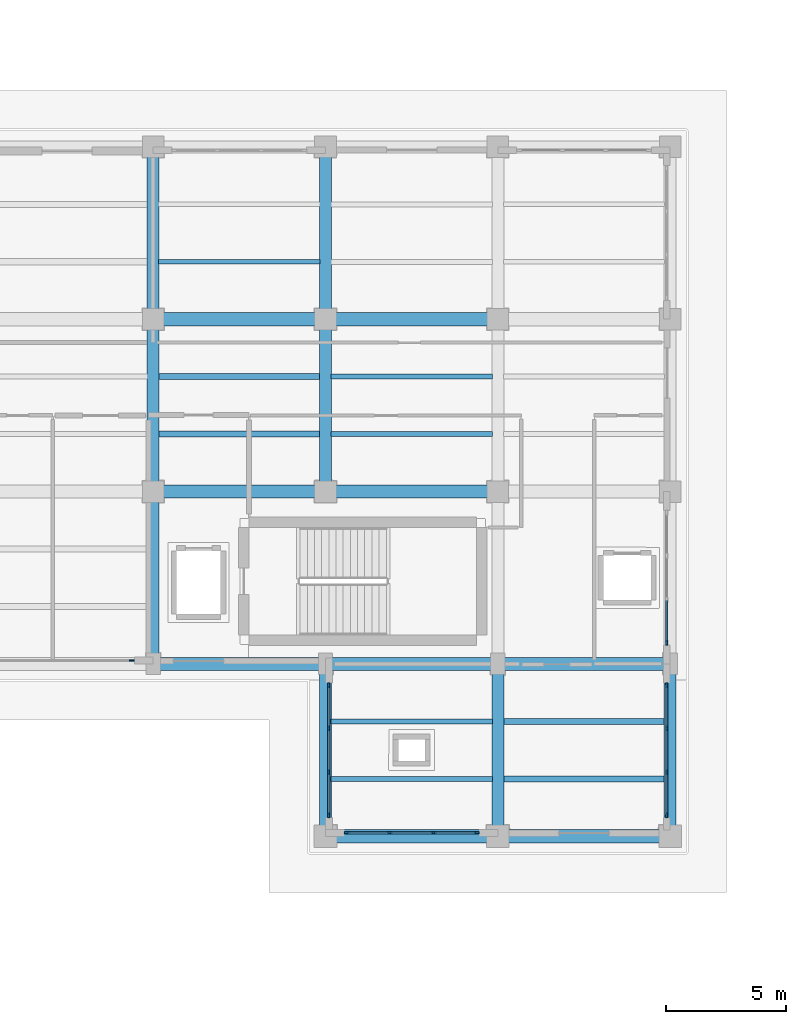
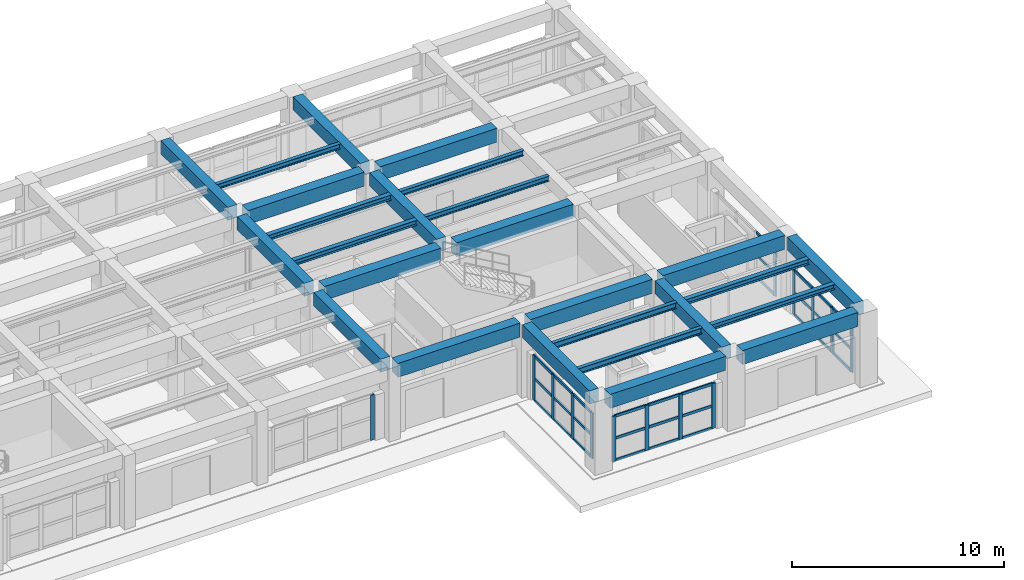
# One storey, part 29 of 64: 44 members, 26 beams, 5 elements without a shape of their own.
"""IFC4 building model written with IfcOpenShell, lengths in metres."""

from ifc_helpers import new_model, si_unit, direction, frame, origin, origin_2d, place, context, subcontext, project, spatial, rectangle, i_section, extrude, material, layer, layer_set, material_profile, profile_set, type_object, element, aggregate, save


model = new_model("IFC4")

# Units and contexts
model_context = context("Model", 3, precision=1e-05, world=origin(), true_north=direction((0.0, 1.0)))
body_context = subcontext(model_context, "Body", "Model", "MODEL_VIEW")
ifc_project = project(units=[si_unit("LENGTHUNIT", "METRE"), si_unit("AREAUNIT", "SQUARE_METRE"), si_unit("VOLUMEUNIT", "CUBIC_METRE"), si_unit("PLANEANGLEUNIT", "RADIAN"), si_unit("MASSUNIT", "GRAM", prefix="KILO")], contexts=[model_context])

# Site, building, storey
site_placement = place(None, origin())
site = spatial("IfcSite", under=ifc_project, at=site_placement, CompositionType="ELEMENT")
building_placement = place(site_placement, origin())
building = spatial("IfcBuilding", under=site, at=building_placement, Name="Solenvale Faculty of Natural Sciences", CompositionType="ELEMENT")
storey_placement = place(building_placement, origin())
storey = spatial("IfcBuildingStorey", under=building, at=storey_placement, Name="L00", CompositionType="ELEMENT", Elevation=0.0)

# Beams
ifc_material_1 = material(Name="Concrete 40 MPa", Category="concrete")
ifc_material_profile_1 = material_profile(ifc_material_1, rectangle(XDim=0.5, YDim=0.75, at=origin_2d()), Name="RC-BM-500x750")
ifc_profile_set_1 = profile_set([ifc_material_profile_1], Name="Concrete 40 MPa")
beam_type_1 = type_object("IfcBeamType", Name="BM-RC-500x750", PredefinedType="BEAM", material=ifc_profile_set_1)
for number, where, z_axis, x_axis, name in (
    (1, (129.60009765625, 94.030029296875, 3.844970703125), (0.0, 1.0, 0.0), (-1.0, 0.0, 0.0), "L00 Y-Girder X129.6 (93.6..100.8)"),
    (2, (129.60009765625, 101.22998046875, 3.844970703125), (0.0, 1.0, 0.0), (-1.0, 0.0, 0.0), "L00 Y-Girder X129.6 (100.8..108.0)"),
    (3, (129.60009765625, 108.429931640625, 3.844970703125), (0.0, 1.0, 0.0), (-1.0, 0.0, 0.0), "L00 Y-Girder X129.6 (108.0..115.2)"),
):
    element("IfcBeam", number, at=place(storey_placement, frame(where, z_axis=z_axis, x_axis=x_axis)), inside=storey, type_object=beam_type_1, Name=name, PredefinedType="BEAM", context=body_context, shape_type="SweptSolid", body=[
        extrude(rectangle(XDim=0.5, YDim=0.75, at=origin_2d()), origin(), (0.0, 0.0, 1.0), 6.340087890625),
    ])
beam_1_placement = place(storey_placement, frame((136.800048828125, 86.85498046875, 3.844970703125), z_axis=(0.0, 1.0, 0.0), x_axis=(-1.0, 0.0, 0.0)))
element("IfcBeam", 4, at=beam_1_placement, inside=storey, type_object=beam_type_1, Name="L00 Y-Girder X136.8 (86.4..93.6)", PredefinedType="BEAM", context=body_context, shape_type="SweptSolid", body=[
    extrude(rectangle(XDim=0.5, YDim=0.75, at=origin_2d()), origin(), (0.0, 0.0, 1.0), 6.31494140625),
])
for number, where, z_axis, x_axis, name in (
    (5, (136.800048828125, 101.22998046875, 3.844970703125), (0.0, 1.0, 0.0), (-1.0, 0.0, 0.0), "L00 Y-Girder X136.8 (100.8..108.0)"),
    (6, (136.800048828125, 108.429931640625, 3.844970703125), (0.0, 1.0, 0.0), (-1.0, 0.0, 0.0), "L00 Y-Girder X136.8 (108.0..115.2)"),
):
    element("IfcBeam", number, at=place(storey_placement, frame(where, z_axis=z_axis, x_axis=x_axis)), inside=storey, type_object=beam_type_1, Name=name, PredefinedType="BEAM", context=body_context, shape_type="SweptSolid", body=[
        extrude(rectangle(XDim=0.5, YDim=0.75, at=origin_2d()), origin(), (0.0, 0.0, 1.0), 6.340087890625),
    ])
for number, where, z_axis, x_axis, name in (
    (7, (144.0, 86.85498046875, 3.844970703125), (0.0, 1.0, 0.0), (-1.0, 0.0, 0.0), "L00 Y-Girder X144.0 (86.4..93.6)"),
    (8, (151.199951171875, 86.85498046875, 3.844970703125), (0.0, 1.0, 0.0), (-1.0, 0.0, 0.0), "L00 Y-Girder X151.2 (86.4..93.6)"),
):
    element("IfcBeam", number, at=place(storey_placement, frame(where, z_axis=z_axis, x_axis=x_axis)), inside=storey, type_object=beam_type_1, Name=name, PredefinedType="BEAM", context=body_context, shape_type="SweptSolid", body=[
        extrude(rectangle(XDim=0.5, YDim=0.75, at=origin_2d()), origin(), (0.0, 0.0, 1.0), 6.31494140625),
    ])
ifc_material_profile_2 = material_profile(ifc_material_1, rectangle(XDim=0.550048828125, YDim=0.800048828125, at=origin_2d()), Name="RC-BM-550x800")
ifc_profile_set_2 = profile_set([ifc_material_profile_2], Name="Concrete 40 MPa")
beam_type_2 = type_object("IfcBeamType", Name="BM-RC-550x800", PredefinedType="BEAM", material=ifc_profile_set_2)
for number, where, z_axis, x_axis, name in (
    (9, (137.2548828125, 86.39990234375, 3.820068359375), (1.0, 0.0, 0.0), (0.0, 1.0, 0.0), "L00 X-Girder Y86.4 (136.8..144.0)"),
    (10, (144.455078125, 86.39990234375, 3.820068359375), (1.0, 0.0, 0.0), (0.0, 1.0, 0.0), "L00 X-Girder Y86.4 (144.0..151.2)"),
):
    element("IfcBeam", number, at=place(storey_placement, frame(where, z_axis=z_axis, x_axis=x_axis)), inside=storey, type_object=beam_type_2, Name=name, PredefinedType="BEAM", context=body_context, shape_type="SweptSolid", body=[
        extrude(rectangle(XDim=0.550048828125, YDim=0.800048828125, at=origin_2d()), origin(), (0.0, 0.0, 1.0), 6.2900390625),
    ])
beam_2_placement = place(storey_placement, frame((129.8798828125, 93.60009765625, 3.820068359375), z_axis=(1.0, 0.0, 0.0), x_axis=(0.0, 1.0, 0.0)))
element("IfcBeam", 11, at=beam_2_placement, inside=storey, type_object=beam_type_2, Name="L00 X-Girder Y93.6 (129.6..136.8)", PredefinedType="BEAM", context=body_context, shape_type="SweptSolid", body=[
    extrude(rectangle(XDim=0.550048828125, YDim=0.800048828125, at=origin_2d()), origin(), (0.0, 0.0, 1.0), 6.64013671875),
])
for number, where, z_axis, x_axis, name in (
    (12, (137.080078125, 93.60009765625, 3.820068359375), (1.0, 0.0, 0.0), (0.0, 1.0, 0.0), "L00 X-Girder Y93.6 (136.8..144.0)"),
    (13, (144.280029296875, 93.60009765625, 3.820068359375), (1.0, 0.0, 0.0), (0.0, 1.0, 0.0), "L00 X-Girder Y93.6 (144.0..151.2)"),
):
    element("IfcBeam", number, at=place(storey_placement, frame(where, z_axis=z_axis, x_axis=x_axis)), inside=storey, type_object=beam_type_2, Name=name, PredefinedType="BEAM", context=body_context, shape_type="SweptSolid", body=[
        extrude(rectangle(XDim=0.550048828125, YDim=0.800048828125, at=origin_2d()), origin(), (0.0, 0.0, 1.0), 6.639892578125),
    ])
for number, where, z_axis, x_axis, name in (
    (14, (130.030029296875, 100.800048828125, 3.820068359375), (1.0, 0.0, 0.0), (0.0, 1.0, 0.0), "L00 X-Girder Y100.8 (129.6..136.8)"),
    (15, (137.22998046875, 100.800048828125, 3.820068359375), (1.0, 0.0, 0.0), (0.0, 1.0, 0.0), "L00 X-Girder Y100.8 (136.8..144.0)"),
    (16, (130.030029296875, 108.0, 3.820068359375), (1.0, 0.0, 0.0), (0.0, 1.0, 0.0), "L00 X-Girder Y108.0 (129.6..136.8)"),
    (17, (137.22998046875, 108.0, 3.820068359375), (1.0, 0.0, 0.0), (0.0, 1.0, 0.0), "L00 X-Girder Y108.0 (136.8..144.0)"),
):
    element("IfcBeam", number, at=place(storey_placement, frame(where, z_axis=z_axis, x_axis=x_axis)), inside=storey, type_object=beam_type_2, Name=name, PredefinedType="BEAM", context=body_context, shape_type="SweptSolid", body=[
        extrude(rectangle(XDim=0.550048828125, YDim=0.800048828125, at=origin_2d()), origin(), (0.0, 0.0, 1.0), 6.340087890625),
    ])
ifc_material_2 = material(Name="Steel S355", Category="steel")
ifc_material_profile_3 = material_profile(ifc_material_2, i_section(OverallWidth=0.202880859375, OverallDepth=0.302978515625, WebThickness=0.007568359375, FlangeThickness=0.01318359375, FilletRadius=0.014892578125, at=origin_2d()), Name="W310x60")
ifc_profile_set_3 = profile_set([ifc_material_profile_3], Name="Steel S355")
beam_type_3 = type_object("IfcBeamType", Name="BM-STL-W310x60", PredefinedType="JOIST", material=ifc_profile_set_3)
for number, where, z_axis, x_axis, name in (
    (18, (129.830078125, 110.39990234375, 4.068603515625), (1.0, 0.0, 0.0), (0.0, 1.0, 0.0), "L00 Composite Floor Joist (19,16).1"),
    (19, (137.030029296875, 103.199951171875, 4.068603515625), (1.0, 0.0, 0.0), (0.0, 1.0, 0.0), "L00 Composite Floor Joist (20,15).1"),
    (20, (137.030029296875, 105.60009765625, 4.068603515625), (1.0, 0.0, 0.0), (0.0, 1.0, 0.0), "L00 Composite Floor Joist (20,15).2"),
):
    element("IfcBeam", number, at=place(storey_placement, frame(where, z_axis=z_axis, x_axis=x_axis)), inside=storey, type_object=beam_type_3, Name=name, PredefinedType="JOIST", context=body_context, shape_type="SweptSolid", body=[
        extrude(i_section(OverallWidth=0.202880859375, OverallDepth=0.302978515625, WebThickness=0.007568359375, FlangeThickness=0.01318359375, FilletRadius=0.014892578125, at=origin_2d()), origin(), (0.0, 0.0, 1.0), 6.739990234375),
    ])
ifc_material_profile_4 = material_profile(ifc_material_2, i_section(OverallWidth=0.25390625, OverallDepth=0.305908203125, WebThickness=0.0087890625, FlangeThickness=0.0146484375, FilletRadius=0.014892578125, at=origin_2d()), Name="W310x79")
ifc_profile_set_4 = profile_set([ifc_material_profile_4], Name="Steel S355")
beam_type_4 = type_object("IfcBeamType", Name="BM-STL-W310x79", PredefinedType="JOIST", material=ifc_profile_set_4)
for number, where, z_axis, x_axis, name in (
    (21, (129.830078125, 103.199951171875, 4.06689453125), (1.0, 0.0, 0.0), (0.0, 1.0, 0.0), "L00 Composite Floor Joist (19,15).1"),
    (22, (129.830078125, 105.60009765625, 4.06689453125), (1.0, 0.0, 0.0), (0.0, 1.0, 0.0), "L00 Composite Floor Joist (19,15).2"),
    (23, (144.22998046875, 88.800048828125, 4.06689453125), (1.0, 0.0, 0.0), (0.0, 1.0, 0.0), "L00 Composite Floor Joist (21,13).1"),
    (24, (144.22998046875, 91.199951171875, 4.06689453125), (1.0, 0.0, 0.0), (0.0, 1.0, 0.0), "L00 Composite Floor Joist (21,13).2"),
):
    element("IfcBeam", number, at=place(storey_placement, frame(where, z_axis=z_axis, x_axis=x_axis)), inside=storey, type_object=beam_type_4, Name=name, PredefinedType="JOIST", context=body_context, shape_type="SweptSolid", body=[
        extrude(i_section(OverallWidth=0.25390625, OverallDepth=0.305908203125, WebThickness=0.0087890625, FlangeThickness=0.0146484375, FilletRadius=0.014892578125, at=origin_2d()), origin(), (0.0, 0.0, 1.0), 6.739990234375),
    ])
ifc_material_profile_5 = material_profile(ifc_material_2, i_section(OverallWidth=0.2041015625, OverallDepth=0.35009765625, WebThickness=0.008544921875, FlangeThickness=0.01513671875, FilletRadius=0.014892578125, at=origin_2d()), Name="W360x72")
ifc_profile_set_5 = profile_set([ifc_material_profile_5], Name="Steel S355")
beam_type_5 = type_object("IfcBeamType", Name="BM-STL-W360x72", PredefinedType="JOIST", material=ifc_profile_set_5)
for number, where, z_axis, x_axis, name in (
    (25, (137.030029296875, 88.800048828125, 4.044921875), (1.0, 0.0, 0.0), (0.0, 1.0, 0.0), "L00 Composite Floor Joist (20,13).1"),
    (26, (137.030029296875, 91.199951171875, 4.044921875), (1.0, 0.0, 0.0), (0.0, 1.0, 0.0), "L00 Composite Floor Joist (20,13).2"),
):
    element("IfcBeam", number, at=place(storey_placement, frame(where, z_axis=z_axis, x_axis=x_axis)), inside=storey, type_object=beam_type_5, Name=name, PredefinedType="JOIST", context=body_context, shape_type="SweptSolid", body=[
        extrude(i_section(OverallWidth=0.2041015625, OverallDepth=0.35009765625, WebThickness=0.008544921875, FlangeThickness=0.01513671875, FilletRadius=0.014892578125, at=origin_2d()), origin(), (0.0, 0.0, 1.0), 6.739990234375),
    ])

# Curtain wall, member
ifc_material_3 = material(Name="Anodised bronze aluminium", Category="aluminium")
ifc_layer = layer(ifc_material_3, 0.179931640625)
ifc_layer_set = layer_set([ifc_layer], Name="Anodised bronze aluminium")
curtain_wall_type = type_object("IfcCurtainWallType", Name="CW-TWR-MOD", PredefinedType="USERDEFINED", material=ifc_layer_set)
curtain_wall_1_placement = place(storey_placement, origin())
curtain_wall_1 = element("IfcCurtainWall", 27, at=curtain_wall_1_placement, inside=storey, type_object=curtain_wall_type, Name="L00 Curtain Wall CW-L00-P1-E12-B7", ObjectType="UNITISED CURTAIN WALL", PredefinedType="USERDEFINED")
ifc_material_profile_6 = material_profile(ifc_material_3, rectangle(XDim=0.074951171875, YDim=0.2099609375, at=origin_2d()), Name="ALU-MUL-75x210")
ifc_profile_set_6 = profile_set([ifc_material_profile_6], Name="Anodised bronze aluminium")
member_type_1 = type_object("IfcMemberType", Name="CWM-ALU-75x210", PredefinedType="MULLION", material=ifc_profile_set_6)
member_1_placement = place(storey_placement, frame((128.71240234375, 93.742431640625, 0.0), z_axis=(0.0, 0.0, 1.0), x_axis=(0.0, 1.0, 0.0)))
member_1 = element("IfcMember", 28, at=member_1_placement, type_object=member_type_1, Name="CW-04 mullion 4", PredefinedType="MULLION", context=body_context, shape_type="SweptSolid", body=[
    extrude(rectangle(XDim=0.074951171875, YDim=0.2099609375, at=origin_2d()), origin(), (0.0, 0.0, 1.0), 2.60009765625),
])
aggregate(curtain_wall_1, [member_1])

# Curtain wall, members
curtain_wall_2_placement = place(storey_placement, origin())
curtain_wall_2 = element("IfcCurtainWall", 29, at=curtain_wall_2_placement, inside=storey, type_object=curtain_wall_type, Name="L00 Curtain Wall CW-L00-P1-E13-B1", ObjectType="UNITISED CURTAIN WALL", PredefinedType="USERDEFINED")
member_2_placement = place(storey_placement, frame((136.9423828125, 92.71240234375, 0.0), z_axis=(0.0, 0.0, 1.0), x_axis=(1.0, 0.0, 0.0)))
member_2 = element("IfcMember", 30, at=member_2_placement, type_object=member_type_1, Name="CW-04 mullion 1", PredefinedType="MULLION", context=body_context, shape_type="SweptSolid", body=[
    extrude(rectangle(XDim=0.074951171875, YDim=0.2099609375, at=origin_2d()), origin(), (0.0, 0.0, 1.0), 2.60009765625),
])
member_3_placement = place(storey_placement, frame((136.9423828125, 90.916748046875, 0.0), z_axis=(0.0, 0.0, 1.0), x_axis=(1.0, 0.0, 0.0)))
member_3 = element("IfcMember", 31, at=member_3_placement, type_object=member_type_1, Name="CW-04 mullion 2", PredefinedType="MULLION", context=body_context, shape_type="SweptSolid", body=[
    extrude(rectangle(XDim=0.074951171875, YDim=0.2099609375, at=origin_2d()), origin(), (0.0, 0.0, 1.0), 2.60009765625),
])
member_4_placement = place(storey_placement, frame((136.9423828125, 89.083251953125, 0.0), z_axis=(0.0, 0.0, 1.0), x_axis=(1.0, 0.0, 0.0)))
member_4 = element("IfcMember", 32, at=member_4_placement, type_object=member_type_1, Name="CW-04 mullion 3", PredefinedType="MULLION", context=body_context, shape_type="SweptSolid", body=[
    extrude(rectangle(XDim=0.074951171875, YDim=0.2099609375, at=origin_2d()), origin(), (0.0, 0.0, 1.0), 2.60009765625),
])
member_5_placement = place(storey_placement, frame((136.9423828125, 87.28759765625, 0.0), z_axis=(0.0, 0.0, 1.0), x_axis=(1.0, 0.0, 0.0)))
member_5 = element("IfcMember", 33, at=member_5_placement, type_object=member_type_1, Name="CW-04 mullion 4", PredefinedType="MULLION", context=body_context, shape_type="SweptSolid", body=[
    extrude(rectangle(XDim=0.074951171875, YDim=0.2099609375, at=origin_2d()), origin(), (0.0, 0.0, 1.0), 2.60009765625),
])

curtain_wall_3_placement = place(storey_placement, origin())
curtain_wall_3 = element("IfcCurtainWall", 34, at=curtain_wall_3_placement, inside=storey, type_object=curtain_wall_type, Name="L00 Curtain Wall CW-L00-P1-E14-B1", ObjectType="UNITISED CURTAIN WALL", PredefinedType="USERDEFINED")
member_6_placement = place(storey_placement, frame((137.6875, 86.54248046875, 0.0), z_axis=(0.0, 0.0, 1.0), x_axis=(0.0, 1.0, 0.0)))
member_6 = element("IfcMember", 35, at=member_6_placement, type_object=member_type_1, Name="CW-04 mullion 1", PredefinedType="MULLION", context=body_context, shape_type="SweptSolid", body=[
    extrude(rectangle(XDim=0.074951171875, YDim=0.2099609375, at=origin_2d()), origin(), (0.0, 0.0, 1.0), 2.60009765625),
])
member_7_placement = place(storey_placement, frame((139.4833984375, 86.54248046875, 0.0), z_axis=(0.0, 0.0, 1.0), x_axis=(0.0, 1.0, 0.0)))
member_7 = element("IfcMember", 36, at=member_7_placement, type_object=member_type_1, Name="CW-04 mullion 2", PredefinedType="MULLION", context=body_context, shape_type="SweptSolid", body=[
    extrude(rectangle(XDim=0.074951171875, YDim=0.2099609375, at=origin_2d()), origin(), (0.0, 0.0, 1.0), 2.60009765625),
])
member_8_placement = place(storey_placement, frame((141.316650390625, 86.54248046875, 0.0), z_axis=(0.0, 0.0, 1.0), x_axis=(0.0, 1.0, 0.0)))
member_8 = element("IfcMember", 37, at=member_8_placement, type_object=member_type_1, Name="CW-04 mullion 3", PredefinedType="MULLION", context=body_context, shape_type="SweptSolid", body=[
    extrude(rectangle(XDim=0.074951171875, YDim=0.2099609375, at=origin_2d()), origin(), (0.0, 0.0, 1.0), 2.60009765625),
])
member_9_placement = place(storey_placement, frame((143.112548828125, 86.54248046875, 0.0), z_axis=(0.0, 0.0, 1.0), x_axis=(0.0, 1.0, 0.0)))
member_9 = element("IfcMember", 38, at=member_9_placement, type_object=member_type_1, Name="CW-04 mullion 4", PredefinedType="MULLION", context=body_context, shape_type="SweptSolid", body=[
    extrude(rectangle(XDim=0.074951171875, YDim=0.2099609375, at=origin_2d()), origin(), (0.0, 0.0, 1.0), 2.60009765625),
])

curtain_wall_4_placement = place(storey_placement, origin())
curtain_wall_4 = element("IfcCurtainWall", 39, at=curtain_wall_4_placement, inside=storey, type_object=curtain_wall_type, Name="L00 Curtain Wall CW-L00-P1-E15-B1", ObjectType="UNITISED CURTAIN WALL", PredefinedType="USERDEFINED")
member_10_placement = place(storey_placement, frame((151.0576171875, 87.28759765625, 0.0), z_axis=(0.0, 0.0, 1.0), x_axis=(-1.0, 0.0, 0.0)))
member_10 = element("IfcMember", 40, at=member_10_placement, type_object=member_type_1, Name="CW-04 mullion 1", PredefinedType="MULLION", context=body_context, shape_type="SweptSolid", body=[
    extrude(rectangle(XDim=0.074951171875, YDim=0.2099609375, at=origin_2d()), origin(), (0.0, 0.0, 1.0), 2.60009765625),
])
member_11_placement = place(storey_placement, frame((151.0576171875, 89.083251953125, 0.0), z_axis=(0.0, 0.0, 1.0), x_axis=(-1.0, 0.0, 0.0)))
member_11 = element("IfcMember", 41, at=member_11_placement, type_object=member_type_1, Name="CW-04 mullion 2", PredefinedType="MULLION", context=body_context, shape_type="SweptSolid", body=[
    extrude(rectangle(XDim=0.074951171875, YDim=0.2099609375, at=origin_2d()), origin(), (0.0, 0.0, 1.0), 2.60009765625),
])
member_12_placement = place(storey_placement, frame((151.0576171875, 90.916748046875, 0.0), z_axis=(0.0, 0.0, 1.0), x_axis=(-1.0, 0.0, 0.0)))
member_12 = element("IfcMember", 42, at=member_12_placement, type_object=member_type_1, Name="CW-04 mullion 3", PredefinedType="MULLION", context=body_context, shape_type="SweptSolid", body=[
    extrude(rectangle(XDim=0.074951171875, YDim=0.2099609375, at=origin_2d()), origin(), (0.0, 0.0, 1.0), 2.60009765625),
])
member_13_placement = place(storey_placement, frame((151.0576171875, 92.71240234375, 0.0), z_axis=(0.0, 0.0, 1.0), x_axis=(-1.0, 0.0, 0.0)))
member_13 = element("IfcMember", 43, at=member_13_placement, type_object=member_type_1, Name="CW-04 mullion 4", PredefinedType="MULLION", context=body_context, shape_type="SweptSolid", body=[
    extrude(rectangle(XDim=0.074951171875, YDim=0.2099609375, at=origin_2d()), origin(), (0.0, 0.0, 1.0), 2.60009765625),
])

# Curtain wall, member
curtain_wall_5_placement = place(storey_placement, origin())
curtain_wall_5 = element("IfcCurtainWall", 44, at=curtain_wall_5_placement, inside=storey, type_object=curtain_wall_type, Name="L00 Curtain Wall CW-L00-P1-E16-B1", ObjectType="UNITISED CURTAIN WALL", PredefinedType="USERDEFINED")
member_14_placement = place(storey_placement, frame((151.0576171875, 94.487548828125, 0.0), z_axis=(0.0, 0.0, 1.0), x_axis=(-1.0, 0.0, 0.0)))
member_14 = element("IfcMember", 45, at=member_14_placement, type_object=member_type_1, Name="CW-04 mullion 1", PredefinedType="MULLION", context=body_context, shape_type="SweptSolid", body=[
    extrude(rectangle(XDim=0.074951171875, YDim=0.2099609375, at=origin_2d()), origin(), (0.0, 0.0, 1.0), 2.60009765625),
])

# Member
ifc_material_profile_7 = material_profile(ifc_material_3, rectangle(XDim=0.074951171875, YDim=0.155029296875, at=origin_2d()), Name="ALU-TRN-75x155")
ifc_profile_set_7 = profile_set([ifc_material_profile_7], Name="Anodised bronze aluminium")
member_type_2 = type_object("IfcMemberType", Name="CWT-ALU-75x155", PredefinedType="USERDEFINED", material=ifc_profile_set_7)
member_15_placement = place(storey_placement, frame((136.9423828125, 92.675048828125, 0.03759765625), z_axis=(0.0, -1.0, 0.0), x_axis=(1.0, 0.0, 0.0)))
member_15 = element("IfcMember", 46, at=member_15_placement, type_object=member_type_2, Name="CW-04 transom 1.1", ObjectType="TRANSOM", PredefinedType="USERDEFINED", context=body_context, shape_type="SweptSolid", body=[
    extrude(rectangle(XDim=0.074951171875, YDim=0.155029296875, at=origin_2d()), origin(), (0.0, 0.0, 1.0), 1.720947265625),
])

member_16_placement = place(storey_placement, frame((136.9423828125, 92.675048828125, 1.300048828125), z_axis=(0.0, -1.0, 0.0), x_axis=(1.0, 0.0, 0.0)))
member_16 = element("IfcMember", 47, at=member_16_placement, type_object=member_type_2, Name="CW-04 transom 1.2", ObjectType="TRANSOM", PredefinedType="USERDEFINED", context=body_context, shape_type="SweptSolid", body=[
    extrude(rectangle(XDim=0.074951171875, YDim=0.155029296875, at=origin_2d()), origin(), (0.0, 0.0, 1.0), 1.720947265625),
])

member_17_placement = place(storey_placement, frame((136.9423828125, 92.675048828125, 2.5625), z_axis=(0.0, -1.0, 0.0), x_axis=(1.0, 0.0, 0.0)))
member_17 = element("IfcMember", 48, at=member_17_placement, type_object=member_type_2, Name="CW-04 transom 1.3", ObjectType="TRANSOM", PredefinedType="USERDEFINED", context=body_context, shape_type="SweptSolid", body=[
    extrude(rectangle(XDim=0.074951171875, YDim=0.155029296875, at=origin_2d()), origin(), (0.0, 0.0, 1.0), 1.720947265625),
])

member_18_placement = place(storey_placement, frame((136.9423828125, 90.879150390625, 0.03759765625), z_axis=(0.0, -1.0, 0.0), x_axis=(1.0, 0.0, 0.0)))
member_18 = element("IfcMember", 49, at=member_18_placement, type_object=member_type_2, Name="CW-04 transom 2.1", ObjectType="TRANSOM", PredefinedType="USERDEFINED", context=body_context, shape_type="SweptSolid", body=[
    extrude(rectangle(XDim=0.074951171875, YDim=0.155029296875, at=origin_2d()), origin(), (0.0, 0.0, 1.0), 1.75830078125),
])

member_19_placement = place(storey_placement, frame((136.9423828125, 90.879150390625, 1.300048828125), z_axis=(0.0, -1.0, 0.0), x_axis=(1.0, 0.0, 0.0)))
member_19 = element("IfcMember", 50, at=member_19_placement, type_object=member_type_2, Name="CW-04 transom 2.2", ObjectType="TRANSOM", PredefinedType="USERDEFINED", context=body_context, shape_type="SweptSolid", body=[
    extrude(rectangle(XDim=0.074951171875, YDim=0.155029296875, at=origin_2d()), origin(), (0.0, 0.0, 1.0), 1.75830078125),
])

member_20_placement = place(storey_placement, frame((136.9423828125, 90.879150390625, 2.5625), z_axis=(0.0, -1.0, 0.0), x_axis=(1.0, 0.0, 0.0)))
member_20 = element("IfcMember", 51, at=member_20_placement, type_object=member_type_2, Name="CW-04 transom 2.3", ObjectType="TRANSOM", PredefinedType="USERDEFINED", context=body_context, shape_type="SweptSolid", body=[
    extrude(rectangle(XDim=0.074951171875, YDim=0.155029296875, at=origin_2d()), origin(), (0.0, 0.0, 1.0), 1.75830078125),
])

member_21_placement = place(storey_placement, frame((136.9423828125, 89.0458984375, 0.03759765625), z_axis=(0.0, -1.0, 0.0), x_axis=(1.0, 0.0, 0.0)))
member_21 = element("IfcMember", 52, at=member_21_placement, type_object=member_type_2, Name="CW-04 transom 3.1", ObjectType="TRANSOM", PredefinedType="USERDEFINED", context=body_context, shape_type="SweptSolid", body=[
    extrude(rectangle(XDim=0.074951171875, YDim=0.155029296875, at=origin_2d()), origin(), (0.0, 0.0, 1.0), 1.720947265625),
])

member_22_placement = place(storey_placement, frame((136.9423828125, 89.0458984375, 1.300048828125), z_axis=(0.0, -1.0, 0.0), x_axis=(1.0, 0.0, 0.0)))
member_22 = element("IfcMember", 53, at=member_22_placement, type_object=member_type_2, Name="CW-04 transom 3.2", ObjectType="TRANSOM", PredefinedType="USERDEFINED", context=body_context, shape_type="SweptSolid", body=[
    extrude(rectangle(XDim=0.074951171875, YDim=0.155029296875, at=origin_2d()), origin(), (0.0, 0.0, 1.0), 1.720947265625),
])

member_23_placement = place(storey_placement, frame((136.9423828125, 89.0458984375, 2.5625), z_axis=(0.0, -1.0, 0.0), x_axis=(1.0, 0.0, 0.0)))
member_23 = element("IfcMember", 54, at=member_23_placement, type_object=member_type_2, Name="CW-04 transom 3.3", ObjectType="TRANSOM", PredefinedType="USERDEFINED", context=body_context, shape_type="SweptSolid", body=[
    extrude(rectangle(XDim=0.074951171875, YDim=0.155029296875, at=origin_2d()), origin(), (0.0, 0.0, 1.0), 1.720947265625),
])

aggregate(curtain_wall_2, [member_2, member_3, member_4, member_5, member_15, member_16, member_17, member_18, member_19, member_20, member_21, member_22, member_23])

member_24_placement = place(storey_placement, frame((137.72509765625, 86.54248046875, 0.03759765625), z_axis=(1.0, 0.0, 0.0), x_axis=(0.0, 1.0, 0.0)))
member_24 = element("IfcMember", 55, at=member_24_placement, type_object=member_type_2, Name="CW-04 transom 1.1", ObjectType="TRANSOM", PredefinedType="USERDEFINED", context=body_context, shape_type="SweptSolid", body=[
    extrude(rectangle(XDim=0.074951171875, YDim=0.155029296875, at=origin_2d()), origin(), (0.0, 0.0, 1.0), 1.720703125),
])

member_25_placement = place(storey_placement, frame((137.72509765625, 86.54248046875, 1.300048828125), z_axis=(1.0, 0.0, 0.0), x_axis=(0.0, 1.0, 0.0)))
member_25 = element("IfcMember", 56, at=member_25_placement, type_object=member_type_2, Name="CW-04 transom 1.2", ObjectType="TRANSOM", PredefinedType="USERDEFINED", context=body_context, shape_type="SweptSolid", body=[
    extrude(rectangle(XDim=0.074951171875, YDim=0.155029296875, at=origin_2d()), origin(), (0.0, 0.0, 1.0), 1.720703125),
])

member_26_placement = place(storey_placement, frame((137.72509765625, 86.54248046875, 2.5625), z_axis=(1.0, 0.0, 0.0), x_axis=(0.0, 1.0, 0.0)))
member_26 = element("IfcMember", 57, at=member_26_placement, type_object=member_type_2, Name="CW-04 transom 1.3", ObjectType="TRANSOM", PredefinedType="USERDEFINED", context=body_context, shape_type="SweptSolid", body=[
    extrude(rectangle(XDim=0.074951171875, YDim=0.155029296875, at=origin_2d()), origin(), (0.0, 0.0, 1.0), 1.720703125),
])

member_27_placement = place(storey_placement, frame((139.520751953125, 86.54248046875, 0.03759765625), z_axis=(1.0, 0.0, 0.0), x_axis=(0.0, 1.0, 0.0)))
member_27 = element("IfcMember", 58, at=member_27_placement, type_object=member_type_2, Name="CW-04 transom 2.1", ObjectType="TRANSOM", PredefinedType="USERDEFINED", context=body_context, shape_type="SweptSolid", body=[
    extrude(rectangle(XDim=0.074951171875, YDim=0.155029296875, at=origin_2d()), origin(), (0.0, 0.0, 1.0), 1.75830078125),
])

member_28_placement = place(storey_placement, frame((139.520751953125, 86.54248046875, 1.300048828125), z_axis=(1.0, 0.0, 0.0), x_axis=(0.0, 1.0, 0.0)))
member_28 = element("IfcMember", 59, at=member_28_placement, type_object=member_type_2, Name="CW-04 transom 2.2", ObjectType="TRANSOM", PredefinedType="USERDEFINED", context=body_context, shape_type="SweptSolid", body=[
    extrude(rectangle(XDim=0.074951171875, YDim=0.155029296875, at=origin_2d()), origin(), (0.0, 0.0, 1.0), 1.75830078125),
])

member_29_placement = place(storey_placement, frame((139.520751953125, 86.54248046875, 2.5625), z_axis=(1.0, 0.0, 0.0), x_axis=(0.0, 1.0, 0.0)))
member_29 = element("IfcMember", 60, at=member_29_placement, type_object=member_type_2, Name="CW-04 transom 2.3", ObjectType="TRANSOM", PredefinedType="USERDEFINED", context=body_context, shape_type="SweptSolid", body=[
    extrude(rectangle(XDim=0.074951171875, YDim=0.155029296875, at=origin_2d()), origin(), (0.0, 0.0, 1.0), 1.75830078125),
])

member_30_placement = place(storey_placement, frame((141.354248046875, 86.54248046875, 0.03759765625), z_axis=(1.0, 0.0, 0.0), x_axis=(0.0, 1.0, 0.0)))
member_30 = element("IfcMember", 61, at=member_30_placement, type_object=member_type_2, Name="CW-04 transom 3.1", ObjectType="TRANSOM", PredefinedType="USERDEFINED", context=body_context, shape_type="SweptSolid", body=[
    extrude(rectangle(XDim=0.074951171875, YDim=0.155029296875, at=origin_2d()), origin(), (0.0, 0.0, 1.0), 1.720703125),
])

member_31_placement = place(storey_placement, frame((141.354248046875, 86.54248046875, 1.300048828125), z_axis=(1.0, 0.0, 0.0), x_axis=(0.0, 1.0, 0.0)))
member_31 = element("IfcMember", 62, at=member_31_placement, type_object=member_type_2, Name="CW-04 transom 3.2", ObjectType="TRANSOM", PredefinedType="USERDEFINED", context=body_context, shape_type="SweptSolid", body=[
    extrude(rectangle(XDim=0.074951171875, YDim=0.155029296875, at=origin_2d()), origin(), (0.0, 0.0, 1.0), 1.720703125),
])

member_32_placement = place(storey_placement, frame((141.354248046875, 86.54248046875, 2.5625), z_axis=(1.0, 0.0, 0.0), x_axis=(0.0, 1.0, 0.0)))
member_32 = element("IfcMember", 63, at=member_32_placement, type_object=member_type_2, Name="CW-04 transom 3.3", ObjectType="TRANSOM", PredefinedType="USERDEFINED", context=body_context, shape_type="SweptSolid", body=[
    extrude(rectangle(XDim=0.074951171875, YDim=0.155029296875, at=origin_2d()), origin(), (0.0, 0.0, 1.0), 1.720703125),
])

aggregate(curtain_wall_3, [member_6, member_7, member_8, member_9, member_24, member_25, member_26, member_27, member_28, member_29, member_30, member_31, member_32])

member_33_placement = place(storey_placement, frame((151.0576171875, 87.324951171875, 0.03759765625), z_axis=(0.0, 1.0, 0.0), x_axis=(-1.0, 0.0, 0.0)))
member_33 = element("IfcMember", 64, at=member_33_placement, type_object=member_type_2, Name="CW-04 transom 1.1", ObjectType="TRANSOM", PredefinedType="USERDEFINED", context=body_context, shape_type="SweptSolid", body=[
    extrude(rectangle(XDim=0.074951171875, YDim=0.155029296875, at=origin_2d()), origin(), (0.0, 0.0, 1.0), 1.720947265625),
])

member_34_placement = place(storey_placement, frame((151.0576171875, 87.324951171875, 1.300048828125), z_axis=(0.0, 1.0, 0.0), x_axis=(-1.0, 0.0, 0.0)))
member_34 = element("IfcMember", 65, at=member_34_placement, type_object=member_type_2, Name="CW-04 transom 1.2", ObjectType="TRANSOM", PredefinedType="USERDEFINED", context=body_context, shape_type="SweptSolid", body=[
    extrude(rectangle(XDim=0.074951171875, YDim=0.155029296875, at=origin_2d()), origin(), (0.0, 0.0, 1.0), 1.720947265625),
])

member_35_placement = place(storey_placement, frame((151.0576171875, 87.324951171875, 2.5625), z_axis=(0.0, 1.0, 0.0), x_axis=(-1.0, 0.0, 0.0)))
member_35 = element("IfcMember", 66, at=member_35_placement, type_object=member_type_2, Name="CW-04 transom 1.3", ObjectType="TRANSOM", PredefinedType="USERDEFINED", context=body_context, shape_type="SweptSolid", body=[
    extrude(rectangle(XDim=0.074951171875, YDim=0.155029296875, at=origin_2d()), origin(), (0.0, 0.0, 1.0), 1.720947265625),
])

member_36_placement = place(storey_placement, frame((151.0576171875, 89.120849609375, 0.03759765625), z_axis=(0.0, 1.0, 0.0), x_axis=(-1.0, 0.0, 0.0)))
member_36 = element("IfcMember", 67, at=member_36_placement, type_object=member_type_2, Name="CW-04 transom 2.1", ObjectType="TRANSOM", PredefinedType="USERDEFINED", context=body_context, shape_type="SweptSolid", body=[
    extrude(rectangle(XDim=0.074951171875, YDim=0.155029296875, at=origin_2d()), origin(), (0.0, 0.0, 1.0), 1.75830078125),
])

member_37_placement = place(storey_placement, frame((151.0576171875, 89.120849609375, 1.300048828125), z_axis=(0.0, 1.0, 0.0), x_axis=(-1.0, 0.0, 0.0)))
member_37 = element("IfcMember", 68, at=member_37_placement, type_object=member_type_2, Name="CW-04 transom 2.2", ObjectType="TRANSOM", PredefinedType="USERDEFINED", context=body_context, shape_type="SweptSolid", body=[
    extrude(rectangle(XDim=0.074951171875, YDim=0.155029296875, at=origin_2d()), origin(), (0.0, 0.0, 1.0), 1.75830078125),
])

member_38_placement = place(storey_placement, frame((151.0576171875, 89.120849609375, 2.5625), z_axis=(0.0, 1.0, 0.0), x_axis=(-1.0, 0.0, 0.0)))
member_38 = element("IfcMember", 69, at=member_38_placement, type_object=member_type_2, Name="CW-04 transom 2.3", ObjectType="TRANSOM", PredefinedType="USERDEFINED", context=body_context, shape_type="SweptSolid", body=[
    extrude(rectangle(XDim=0.074951171875, YDim=0.155029296875, at=origin_2d()), origin(), (0.0, 0.0, 1.0), 1.75830078125),
])

member_39_placement = place(storey_placement, frame((151.0576171875, 90.9541015625, 0.03759765625), z_axis=(0.0, 1.0, 0.0), x_axis=(-1.0, 0.0, 0.0)))
member_39 = element("IfcMember", 70, at=member_39_placement, type_object=member_type_2, Name="CW-04 transom 3.1", ObjectType="TRANSOM", PredefinedType="USERDEFINED", context=body_context, shape_type="SweptSolid", body=[
    extrude(rectangle(XDim=0.074951171875, YDim=0.155029296875, at=origin_2d()), origin(), (0.0, 0.0, 1.0), 1.720947265625),
])

member_40_placement = place(storey_placement, frame((151.0576171875, 90.9541015625, 1.300048828125), z_axis=(0.0, 1.0, 0.0), x_axis=(-1.0, 0.0, 0.0)))
member_40 = element("IfcMember", 71, at=member_40_placement, type_object=member_type_2, Name="CW-04 transom 3.2", ObjectType="TRANSOM", PredefinedType="USERDEFINED", context=body_context, shape_type="SweptSolid", body=[
    extrude(rectangle(XDim=0.074951171875, YDim=0.155029296875, at=origin_2d()), origin(), (0.0, 0.0, 1.0), 1.720947265625),
])

member_41_placement = place(storey_placement, frame((151.0576171875, 90.9541015625, 2.5625), z_axis=(0.0, 1.0, 0.0), x_axis=(-1.0, 0.0, 0.0)))
member_41 = element("IfcMember", 72, at=member_41_placement, type_object=member_type_2, Name="CW-04 transom 3.3", ObjectType="TRANSOM", PredefinedType="USERDEFINED", context=body_context, shape_type="SweptSolid", body=[
    extrude(rectangle(XDim=0.074951171875, YDim=0.155029296875, at=origin_2d()), origin(), (0.0, 0.0, 1.0), 1.720947265625),
])

aggregate(curtain_wall_4, [member_10, member_11, member_12, member_13, member_33, member_34, member_35, member_36, member_37, member_38, member_39, member_40, member_41])

member_42_placement = place(storey_placement, frame((151.0576171875, 94.52490234375, 0.03759765625), z_axis=(0.0, 1.0, 0.0), x_axis=(-1.0, 0.0, 0.0)))
member_42 = element("IfcMember", 73, at=member_42_placement, type_object=member_type_2, Name="CW-04 transom 1.1", ObjectType="TRANSOM", PredefinedType="USERDEFINED", context=body_context, shape_type="SweptSolid", body=[
    extrude(rectangle(XDim=0.074951171875, YDim=0.155029296875, at=origin_2d()), origin(), (0.0, 0.0, 1.0), 1.720947265625),
])

member_43_placement = place(storey_placement, frame((151.0576171875, 94.52490234375, 1.300048828125), z_axis=(0.0, 1.0, 0.0), x_axis=(-1.0, 0.0, 0.0)))
member_43 = element("IfcMember", 74, at=member_43_placement, type_object=member_type_2, Name="CW-04 transom 1.2", ObjectType="TRANSOM", PredefinedType="USERDEFINED", context=body_context, shape_type="SweptSolid", body=[
    extrude(rectangle(XDim=0.074951171875, YDim=0.155029296875, at=origin_2d()), origin(), (0.0, 0.0, 1.0), 1.720947265625),
])

member_44_placement = place(storey_placement, frame((151.0576171875, 94.52490234375, 2.5625), z_axis=(0.0, 1.0, 0.0), x_axis=(-1.0, 0.0, 0.0)))
member_44 = element("IfcMember", 75, at=member_44_placement, type_object=member_type_2, Name="CW-04 transom 1.3", ObjectType="TRANSOM", PredefinedType="USERDEFINED", context=body_context, shape_type="SweptSolid", body=[
    extrude(rectangle(XDim=0.074951171875, YDim=0.155029296875, at=origin_2d()), origin(), (0.0, 0.0, 1.0), 1.720947265625),
])

aggregate(curtain_wall_5, [member_14, member_42, member_43, member_44])

save(model, "model.ifc")
